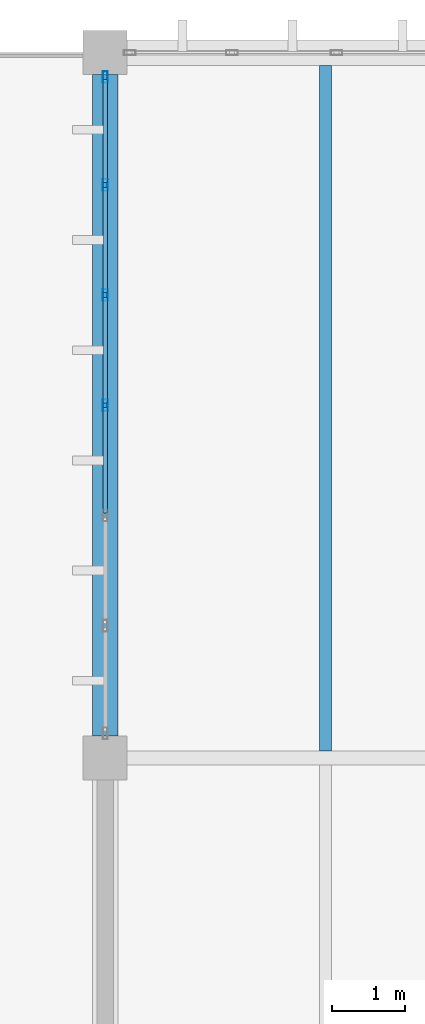
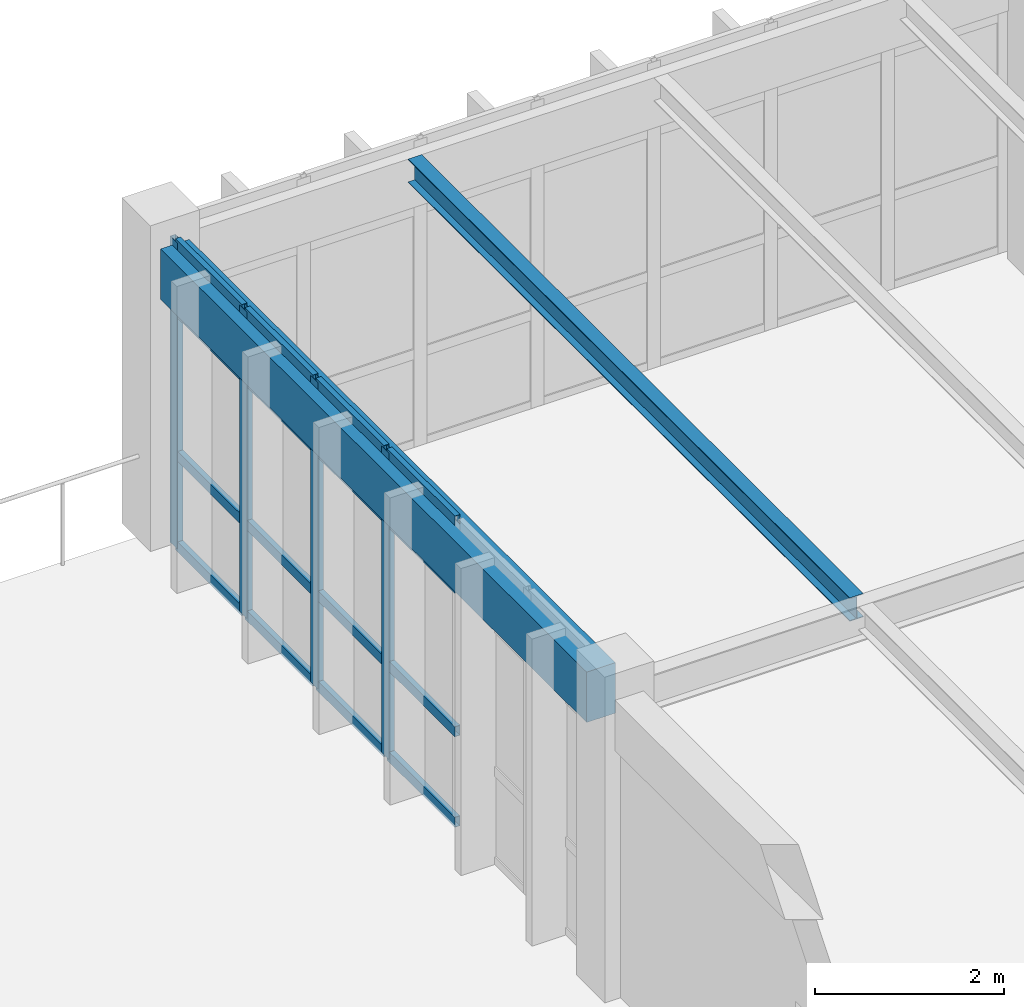
# One storey, part 14 of 28: 20 members, 2 beams, 1 element without a shape of its own.
"""IFC4 building model written with IfcOpenShell, lengths in metres."""

from ifc_helpers import new_model, si_unit, direction, frame, origin, origin_2d, place, context, subcontext, project, spatial, rectangle, hollow_rectangle, i_section, extrude, material, layer, layer_set, material_profile, profile_set, type_object, element, aggregate, save


model = new_model("IFC4")

# Units and contexts
model_context = context("Model", 3, precision=1e-05, world=origin(), true_north=direction((0.0, 1.0)))
body_context = subcontext(model_context, "Body", "Model", "MODEL_VIEW")
ifc_project = project(units=[si_unit("LENGTHUNIT", "METRE"), si_unit("AREAUNIT", "SQUARE_METRE"), si_unit("VOLUMEUNIT", "CUBIC_METRE"), si_unit("PLANEANGLEUNIT", "RADIAN"), si_unit("MASSUNIT", "GRAM", prefix="KILO")], contexts=[model_context])

# Site, building, storey
site_placement = place(None, origin())
site = spatial("IfcSite", under=ifc_project, at=site_placement, CompositionType="ELEMENT")
building_placement = place(site_placement, origin())
building = spatial("IfcBuilding", under=site, at=building_placement, Name="Pandanus Reach Market Hall", CompositionType="ELEMENT")
storey_placement = place(building_placement, frame((0.0, 0.0, 18.60009765625)))
storey = spatial("IfcBuildingStorey", under=building, at=storey_placement, Name="L04", CompositionType="ELEMENT", Elevation=18.60009765625)

# Beam
ifc_material_1 = material(Name="Concrete N40 (40 MPa)", Category="concrete")
ifc_material_profile_1 = material_profile(ifc_material_1, rectangle(XDim=0.35009765625, YDim=0.64990234375, at=origin_2d()), Name="RC350x650", Category="LoadBearing")
ifc_profile_set_1 = profile_set([ifc_material_profile_1], Name="Concrete N40 (40 MPa)")
beam_type_1 = type_object("IfcBeamType", Name="BM-RC350-E", PredefinedType="SPANDREL", material=ifc_profile_set_1)
beam_1_placement = place(storey_placement, frame((156.0, 67.498046875, 3.534912109375), z_axis=(0.0, 1.0, 0.0), x_axis=(-1.0, 0.0, 0.0)))
element("IfcBeam", 1, at=beam_1_placement, inside=storey, type_object=beam_type_1, Name="Framing beam BM-RC350-E L04.626", PredefinedType="SPANDREL", context=body_context, shape_type="SweptSolid", body=[
    extrude(rectangle(XDim=0.35009765625, YDim=0.64990234375, at=origin_2d()), origin(), (0.0, 0.0, 1.0), 9.00390625),
])

# Curtain wall, members
ifc_material_2 = material(Name="Bronze anodised aluminium and low-E glass", Category="aluminium")
ifc_layer = layer(ifc_material_2, 0.159912109375, Name="CW-37")
ifc_layer_set = layer_set([ifc_layer], Name="Bronze anodised aluminium and low-E glass")
curtain_wall_type = type_object("IfcCurtainWallType", Name="CW-37", PredefinedType="NOTDEFINED", material=ifc_layer_set)
curtain_wall_placement = place(storey_placement, origin())
curtain_wall = element("IfcCurtainWall", 2, at=curtain_wall_placement, inside=storey, type_object=curtain_wall_type, Name="Glazed curtain wall CW-37 CW-0134", PredefinedType="NOTDEFINED")
ifc_material_3 = material(Name="Bronze anodised aluminium", Category="aluminium")
ifc_material_profile_2 = material_profile(ifc_material_3, hollow_rectangle(XDim=0.06494140625, YDim=0.159912109375, WallThickness=0.00390625, at=origin_2d()), Name="ALU65x160", Category="LoadBearing")
ifc_profile_set_2 = profile_set([ifc_material_profile_2], Name="Bronze anodised aluminium")
member_type_1 = type_object("IfcMemberType", Name="CW-M1", PredefinedType="MULLION", material=ifc_profile_set_2)
member_1_placement = place(storey_placement, frame((156.0, 72.0, 0.0), z_axis=(0.0, 0.0, 1.0), x_axis=(-1.0, 0.0, 0.0)))
member_1 = element("IfcMember", 3, at=member_1_placement, type_object=member_type_1, Name="CW-37 mullion 4", PredefinedType="MULLION", context=body_context, shape_type="SweptSolid", body=[
    extrude(hollow_rectangle(XDim=0.06494140625, YDim=0.159912109375, WallThickness=0.00390625, at=origin_2d()), origin(), (0.0, 0.0, 1.0), 3.949951171875),
])
member_2_placement = place(storey_placement, frame((156.0, 73.5, 0.0), z_axis=(0.0, 0.0, 1.0), x_axis=(-1.0, 0.0, 0.0)))
member_2 = element("IfcMember", 4, at=member_2_placement, type_object=member_type_1, Name="CW-37 mullion 5", PredefinedType="MULLION", context=body_context, shape_type="SweptSolid", body=[
    extrude(hollow_rectangle(XDim=0.06494140625, YDim=0.159912109375, WallThickness=0.00390625, at=origin_2d()), origin(), (0.0, 0.0, 1.0), 3.949951171875),
])
member_3_placement = place(storey_placement, frame((156.0, 75.0, 0.0), z_axis=(0.0, 0.0, 1.0), x_axis=(-1.0, 0.0, 0.0)))
member_3 = element("IfcMember", 5, at=member_3_placement, type_object=member_type_1, Name="CW-37 mullion 6", PredefinedType="MULLION", context=body_context, shape_type="SweptSolid", body=[
    extrude(hollow_rectangle(XDim=0.06494140625, YDim=0.159912109375, WallThickness=0.00390625, at=origin_2d()), origin(), (0.0, 0.0, 1.0), 3.949951171875),
])
member_4_placement = place(storey_placement, frame((156.0, 76.467529296875, 0.0), z_axis=(0.0, 0.0, 1.0), x_axis=(-1.0, 0.0, 0.0)))
member_4 = element("IfcMember", 6, at=member_4_placement, type_object=member_type_1, Name="CW-37 mullion 7", PredefinedType="MULLION", context=body_context, shape_type="SweptSolid", body=[
    extrude(hollow_rectangle(XDim=0.06494140625, YDim=0.159912109375, WallThickness=0.00390625, at=origin_2d()), origin(), (0.0, 0.0, 1.0), 3.949951171875),
])
ifc_material_profile_3 = material_profile(ifc_material_3, hollow_rectangle(XDim=0.06494140625, YDim=0.1298828125, WallThickness=0.00390625, at=origin_2d()), Name="ALU65x130", Category="LoadBearing")
ifc_profile_set_3 = profile_set([ifc_material_profile_3], Name="Bronze anodised aluminium")
member_type_2 = type_object("IfcMemberType", Name="CW-T1", PredefinedType="USERDEFINED", material=ifc_profile_set_3)
member_5_placement = place(storey_placement, frame((156.0, 70.532470703125, 0.032470703125), z_axis=(0.0, 1.0, 0.0), x_axis=(-1.0, 0.0, 0.0)))
member_5 = element("IfcMember", 7, at=member_5_placement, type_object=member_type_2, Name="CW-37 transom 3.1", ObjectType="TRANSOM", PredefinedType="USERDEFINED", context=body_context, shape_type="SweptSolid", body=[
    extrude(hollow_rectangle(XDim=0.06494140625, YDim=0.1298828125, WallThickness=0.00390625, at=origin_2d()), origin(), (0.0, 0.0, 1.0), 1.43505859375),
])
member_6_placement = place(storey_placement, frame((156.0, 70.532470703125, 1.199951171875), z_axis=(0.0, 1.0, 0.0), x_axis=(-1.0, 0.0, 0.0)))
member_6 = element("IfcMember", 8, at=member_6_placement, type_object=member_type_2, Name="CW-37 transom 3.2", ObjectType="TRANSOM", PredefinedType="USERDEFINED", context=body_context, shape_type="SweptSolid", body=[
    extrude(hollow_rectangle(XDim=0.06494140625, YDim=0.1298828125, WallThickness=0.00390625, at=origin_2d()), origin(), (0.0, 0.0, 1.0), 1.43505859375),
])
member_7_placement = place(storey_placement, frame((156.0, 70.532470703125, 3.0498046875), z_axis=(0.0, 1.0, 0.0), x_axis=(-1.0, 0.0, 0.0)))
member_7 = element("IfcMember", 9, at=member_7_placement, type_object=member_type_2, Name="CW-37 transom 3.3", ObjectType="TRANSOM", PredefinedType="USERDEFINED", context=body_context, shape_type="SweptSolid", body=[
    extrude(hollow_rectangle(XDim=0.06494140625, YDim=0.1298828125, WallThickness=0.00390625, at=origin_2d()), origin(), (0.0, 0.0, 1.0), 1.43505859375),
])
member_8_placement = place(storey_placement, frame((156.0, 70.532470703125, 3.91748046875), z_axis=(0.0, 1.0, 0.0), x_axis=(-1.0, 0.0, 0.0)))
member_8 = element("IfcMember", 10, at=member_8_placement, type_object=member_type_2, Name="CW-37 transom 3.4", ObjectType="TRANSOM", PredefinedType="USERDEFINED", context=body_context, shape_type="SweptSolid", body=[
    extrude(hollow_rectangle(XDim=0.06494140625, YDim=0.1298828125, WallThickness=0.00390625, at=origin_2d()), origin(), (0.0, 0.0, 1.0), 1.43505859375),
])
member_9_placement = place(storey_placement, frame((156.0, 72.032470703125, 0.032470703125), z_axis=(0.0, 1.0, 0.0), x_axis=(-1.0, 0.0, 0.0)))
member_9 = element("IfcMember", 11, at=member_9_placement, type_object=member_type_2, Name="CW-37 transom 4.1", ObjectType="TRANSOM", PredefinedType="USERDEFINED", context=body_context, shape_type="SweptSolid", body=[
    extrude(hollow_rectangle(XDim=0.06494140625, YDim=0.1298828125, WallThickness=0.00390625, at=origin_2d()), origin(), (0.0, 0.0, 1.0), 1.43505859375),
])
member_10_placement = place(storey_placement, frame((156.0, 72.032470703125, 1.199951171875), z_axis=(0.0, 1.0, 0.0), x_axis=(-1.0, 0.0, 0.0)))
member_10 = element("IfcMember", 12, at=member_10_placement, type_object=member_type_2, Name="CW-37 transom 4.2", ObjectType="TRANSOM", PredefinedType="USERDEFINED", context=body_context, shape_type="SweptSolid", body=[
    extrude(hollow_rectangle(XDim=0.06494140625, YDim=0.1298828125, WallThickness=0.00390625, at=origin_2d()), origin(), (0.0, 0.0, 1.0), 1.43505859375),
])
member_11_placement = place(storey_placement, frame((156.0, 72.032470703125, 3.0498046875), z_axis=(0.0, 1.0, 0.0), x_axis=(-1.0, 0.0, 0.0)))
member_11 = element("IfcMember", 13, at=member_11_placement, type_object=member_type_2, Name="CW-37 transom 4.3", ObjectType="TRANSOM", PredefinedType="USERDEFINED", context=body_context, shape_type="SweptSolid", body=[
    extrude(hollow_rectangle(XDim=0.06494140625, YDim=0.1298828125, WallThickness=0.00390625, at=origin_2d()), origin(), (0.0, 0.0, 1.0), 1.43505859375),
])
member_12_placement = place(storey_placement, frame((156.0, 72.032470703125, 3.91748046875), z_axis=(0.0, 1.0, 0.0), x_axis=(-1.0, 0.0, 0.0)))
member_12 = element("IfcMember", 14, at=member_12_placement, type_object=member_type_2, Name="CW-37 transom 4.4", ObjectType="TRANSOM", PredefinedType="USERDEFINED", context=body_context, shape_type="SweptSolid", body=[
    extrude(hollow_rectangle(XDim=0.06494140625, YDim=0.1298828125, WallThickness=0.00390625, at=origin_2d()), origin(), (0.0, 0.0, 1.0), 1.43505859375),
])
member_13_placement = place(storey_placement, frame((156.0, 73.532470703125, 0.032470703125), z_axis=(0.0, 1.0, 0.0), x_axis=(-1.0, 0.0, 0.0)))
member_13 = element("IfcMember", 15, at=member_13_placement, type_object=member_type_2, Name="CW-37 transom 5.1", ObjectType="TRANSOM", PredefinedType="USERDEFINED", context=body_context, shape_type="SweptSolid", body=[
    extrude(hollow_rectangle(XDim=0.06494140625, YDim=0.1298828125, WallThickness=0.00390625, at=origin_2d()), origin(), (0.0, 0.0, 1.0), 1.43505859375),
])
member_14_placement = place(storey_placement, frame((156.0, 73.532470703125, 1.199951171875), z_axis=(0.0, 1.0, 0.0), x_axis=(-1.0, 0.0, 0.0)))
member_14 = element("IfcMember", 16, at=member_14_placement, type_object=member_type_2, Name="CW-37 transom 5.2", ObjectType="TRANSOM", PredefinedType="USERDEFINED", context=body_context, shape_type="SweptSolid", body=[
    extrude(hollow_rectangle(XDim=0.06494140625, YDim=0.1298828125, WallThickness=0.00390625, at=origin_2d()), origin(), (0.0, 0.0, 1.0), 1.43505859375),
])
member_15_placement = place(storey_placement, frame((156.0, 73.532470703125, 3.0498046875), z_axis=(0.0, 1.0, 0.0), x_axis=(-1.0, 0.0, 0.0)))
member_15 = element("IfcMember", 17, at=member_15_placement, type_object=member_type_2, Name="CW-37 transom 5.3", ObjectType="TRANSOM", PredefinedType="USERDEFINED", context=body_context, shape_type="SweptSolid", body=[
    extrude(hollow_rectangle(XDim=0.06494140625, YDim=0.1298828125, WallThickness=0.00390625, at=origin_2d()), origin(), (0.0, 0.0, 1.0), 1.43505859375),
])
member_16_placement = place(storey_placement, frame((156.0, 73.532470703125, 3.91748046875), z_axis=(0.0, 1.0, 0.0), x_axis=(-1.0, 0.0, 0.0)))
member_16 = element("IfcMember", 18, at=member_16_placement, type_object=member_type_2, Name="CW-37 transom 5.4", ObjectType="TRANSOM", PredefinedType="USERDEFINED", context=body_context, shape_type="SweptSolid", body=[
    extrude(hollow_rectangle(XDim=0.06494140625, YDim=0.1298828125, WallThickness=0.00390625, at=origin_2d()), origin(), (0.0, 0.0, 1.0), 1.43505859375),
])
member_17_placement = place(storey_placement, frame((156.0, 75.032470703125, 0.032470703125), z_axis=(0.0, 1.0, 0.0), x_axis=(-1.0, 0.0, 0.0)))
member_17 = element("IfcMember", 19, at=member_17_placement, type_object=member_type_2, Name="CW-37 transom 6.1", ObjectType="TRANSOM", PredefinedType="USERDEFINED", context=body_context, shape_type="SweptSolid", body=[
    extrude(hollow_rectangle(XDim=0.06494140625, YDim=0.1298828125, WallThickness=0.00390625, at=origin_2d()), origin(), (0.0, 0.0, 1.0), 1.402587890625),
])
member_18_placement = place(storey_placement, frame((156.0, 75.032470703125, 1.199951171875), z_axis=(0.0, 1.0, 0.0), x_axis=(-1.0, 0.0, 0.0)))
member_18 = element("IfcMember", 20, at=member_18_placement, type_object=member_type_2, Name="CW-37 transom 6.2", ObjectType="TRANSOM", PredefinedType="USERDEFINED", context=body_context, shape_type="SweptSolid", body=[
    extrude(hollow_rectangle(XDim=0.06494140625, YDim=0.1298828125, WallThickness=0.00390625, at=origin_2d()), origin(), (0.0, 0.0, 1.0), 1.402587890625),
])
member_19_placement = place(storey_placement, frame((156.0, 75.032470703125, 3.0498046875), z_axis=(0.0, 1.0, 0.0), x_axis=(-1.0, 0.0, 0.0)))
member_19 = element("IfcMember", 21, at=member_19_placement, type_object=member_type_2, Name="CW-37 transom 6.3", ObjectType="TRANSOM", PredefinedType="USERDEFINED", context=body_context, shape_type="SweptSolid", body=[
    extrude(hollow_rectangle(XDim=0.06494140625, YDim=0.1298828125, WallThickness=0.00390625, at=origin_2d()), origin(), (0.0, 0.0, 1.0), 1.402587890625),
])
member_20_placement = place(storey_placement, frame((156.0, 75.032470703125, 3.91748046875), z_axis=(0.0, 1.0, 0.0), x_axis=(-1.0, 0.0, 0.0)))
member_20 = element("IfcMember", 22, at=member_20_placement, type_object=member_type_2, Name="CW-37 transom 6.4", ObjectType="TRANSOM", PredefinedType="USERDEFINED", context=body_context, shape_type="SweptSolid", body=[
    extrude(hollow_rectangle(XDim=0.06494140625, YDim=0.1298828125, WallThickness=0.00390625, at=origin_2d()), origin(), (0.0, 0.0, 1.0), 1.402587890625),
])
aggregate(curtain_wall, [member_1, member_2, member_3, member_4, member_5, member_6, member_7, member_8, member_9, member_10, member_11, member_12, member_13, member_14, member_15, member_16, member_17, member_18, member_19, member_20])

# Beam
ifc_material_4 = material(Name="Steel Grade 350 (350 MPa)", Category="steel")
ifc_material_profile_4 = material_profile(ifc_material_4, i_section(OverallWidth=0.1650390625, OverallDepth=0.303955078125, WebThickness=0.006103515625, FlangeThickness=0.01025390625, at=origin_2d()), Name="310UB40.4", Category="LoadBearing")
ifc_profile_set_4 = profile_set([ifc_material_profile_4], Name="Steel Grade 350 (350 MPa)")
beam_type_2 = type_object("IfcBeamType", Name="JS-UB310-I", PredefinedType="JOIST", material=ifc_profile_set_4)
beam_2_placement = place(storey_placement, frame((159.0, 67.29296875, 3.70751953125), z_axis=(0.0, 1.0, 0.0), x_axis=(-1.0, 0.0, 0.0)))
element("IfcBeam", 23, at=beam_2_placement, inside=storey, type_object=beam_type_2, Name="Secondary joist JS-UB310-I L04.649", PredefinedType="JOIST", context=body_context, shape_type="SweptSolid", body=[
    extrude(i_section(OverallWidth=0.1650390625, OverallDepth=0.303955078125, WebThickness=0.006103515625, FlangeThickness=0.01025390625, at=origin_2d()), origin(), (0.0, 0.0, 1.0), 9.333984375),
])

save(model, "model.ifc")
